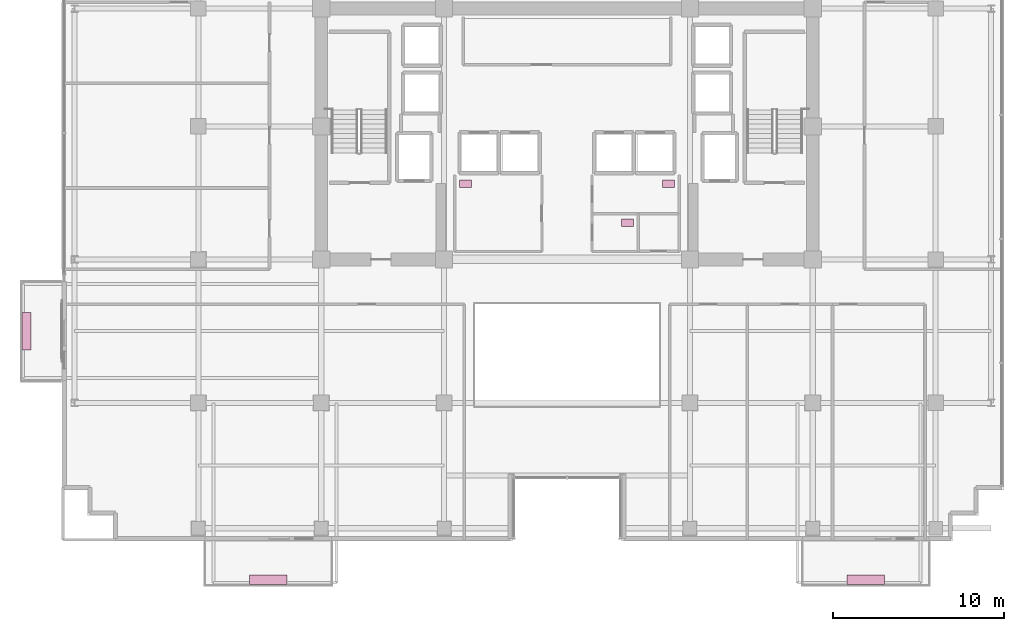
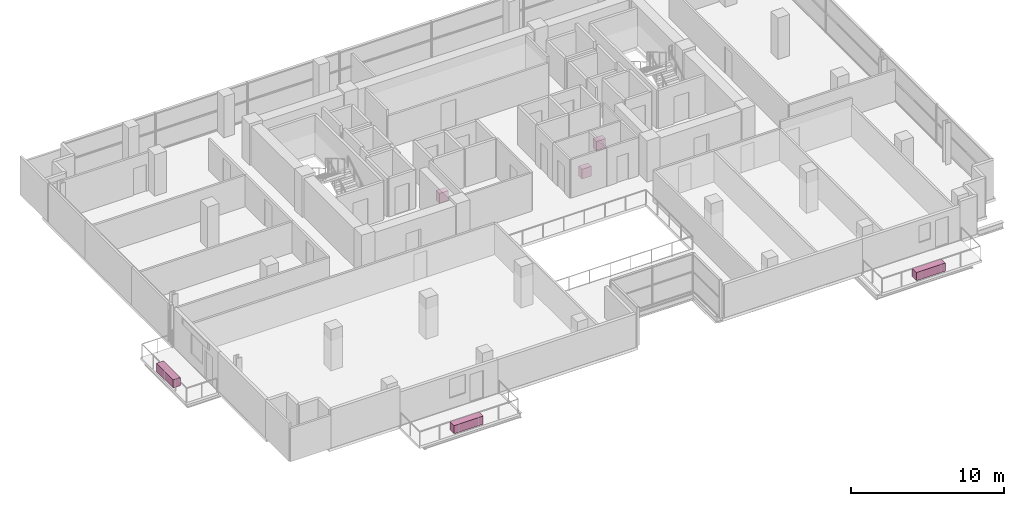
# One storey, part 28 of 28: 6 furnishings.
"""IFC4 building model written with IfcOpenShell, lengths in metres."""

import ifcopenshell
import ifcopenshell.guid

model = None  # the IFC model being written
_history = None  # IfcOwnerHistory: only IFC2X3 demands one
_inside = {}  # id of a spatial element -> (the spatial element, [elements in it])
_under = {}  # id of a project, library or spatial element -> (it, [spatial elements below it])
_declared = {}  # id of a project -> (the project, [libraries it declares])
_typed = {}  # id of a type object -> (the type object, [elements of that type])
_made_of = {}  # id of a material, layer set ... -> (it, [elements and type objects made of it])


def new_model(schema):
    """Start an empty IFC model of exactly this schema.

    Asked for "IFC4X3", IfcOpenShell would pick the latest addendum, in which some entities
    have other attributes; the version numbers below select the first issue.
    IFC2X3 requires an IfcOwnerHistory on every rooted entity: one is made here for all.
    """
    global model, _history
    if schema == "IFC4X3":
        model = ifcopenshell.file(schema_version=(4, 3, 0, 0))
    else:
        model = ifcopenshell.file(schema=schema)
    _inside.clear()
    _under.clear()
    _declared.clear()
    _typed.clear()
    _made_of.clear()
    _history = None
    if model.schema == "IFC2X3":
        org = make("IfcOrganization", Name="unknown")
        user = make(
            "IfcPersonAndOrganization",
            ThePerson=make("IfcPerson", FamilyName="unknown"),
            TheOrganization=org,
        )
        app = make(
            "IfcApplication",
            ApplicationDeveloper=org,
            Version="unknown",
            ApplicationFullName="unknown",
            ApplicationIdentifier="unknown",
        )
        _history = make(
            "IfcOwnerHistory",
            OwningUser=user,
            OwningApplication=app,
            ChangeAction="ADDED",
            CreationDate=0,
        )
    return model


def make(cls, **values):
    """One entity of the class cls with the attributes given. An attribute that is None is left unset."""
    return model.create_entity(
        cls, **{name: value for name, value in values.items() if value is not None}
    )


def rooted(cls, **values):
    """An entity with a GlobalId (a new one), such as an element, a storey or a relation."""
    return make(cls, GlobalId=ifcopenshell.guid.new(), OwnerHistory=_history, **values)


def si_unit(unit_type, name, prefix=None):
    """IfcSIUnit, for example si_unit("LENGTHUNIT", "METRE", prefix="MILLI")."""
    return make("IfcSIUnit", UnitType=unit_type, Prefix=prefix, Name=name)


def assignment(units):
    """IfcUnitAssignment: the units of a project."""
    return None if units is None else make("IfcUnitAssignment", Units=units)


def point(xyz):
    """IfcCartesianPoint."""
    return None if xyz is None else make("IfcCartesianPoint", Coordinates=xyz)


def direction(xyz):
    """IfcDirection."""
    return None if xyz is None else make("IfcDirection", DirectionRatios=xyz)


def frame(location, z_axis=None, x_axis=None):
    """IfcAxis2Placement3D, a coordinate frame: its origin and axes. An axis left out is left unset."""
    return make(
        "IfcAxis2Placement3D",
        Location=point(location),
        Axis=direction(z_axis),
        RefDirection=direction(x_axis),
    )


def frame_2d(location, x_axis=None):
    """IfcAxis2Placement2D, a coordinate frame in the plane: its origin and x axis."""
    return make(
        "IfcAxis2Placement2D", Location=point(location), RefDirection=direction(x_axis)
    )


def origin():
    """The frame at (0, 0, 0) with its axes left unset."""
    return frame((0.0, 0.0, 0.0))


def origin_2d():
    """The frame at (0, 0) in the plane with its x axis left unset."""
    return frame_2d((0.0, 0.0))


def place(relative_to, where):
    """IfcLocalPlacement: puts the frame where relative to a parent placement (None: the world)."""
    return make(
        "IfcLocalPlacement", PlacementRelTo=relative_to, RelativePlacement=where
    )


def context(
    kind, dimensions, precision=None, world=None, true_north=None, identifier=None
):
    """IfcGeometricRepresentationContext, for example the 3D "Model" context."""
    return make(
        "IfcGeometricRepresentationContext",
        ContextIdentifier=identifier,
        ContextType=kind,
        CoordinateSpaceDimension=dimensions,
        Precision=precision,
        WorldCoordinateSystem=world,
        TrueNorth=true_north,
    )


def subcontext(parent, identifier, kind, view, scale=None):
    """IfcGeometricRepresentationSubContext, for example "Body" below "Model"."""
    return make(
        "IfcGeometricRepresentationSubContext",
        ContextIdentifier=identifier,
        ContextType=kind,
        ParentContext=parent,
        TargetScale=scale,
        TargetView=view,
    )


def project(units=None, contexts=None):
    """IfcProject with its units and contexts."""
    return rooted(
        "IfcProject",
        Name="project",
        RepresentationContexts=contexts,
        UnitsInContext=assignment(units),
    )


def spatial(cls, under=None, at=None, **own):
    """A site, building, storey or space (cls), placed at a placement, below another one or the project."""
    s = rooted(cls, ObjectPlacement=at, **own)
    if under is not None:
        _under.setdefault(under.id(), (under, []))[1].append(s)
    return s


def profile(cls, at=None, kind="AREA", **sizes):
    """A parametric profile (cls). Its sizes go by their IFC names, for example OverallWidth=200.0."""
    return make(cls, ProfileType=kind, Position=at, **sizes)


def rectangle(**sizes):
    """IfcRectangleProfileDef."""
    return profile("IfcRectangleProfileDef", **sizes)


def extrude(swept, where, along, depth):
    """IfcExtrudedAreaSolid: the profile swept, set in the frame where, extruded along a direction by depth."""
    return make(
        "IfcExtrudedAreaSolid",
        SweptArea=swept,
        Position=where,
        ExtrudedDirection=direction(along),
        Depth=depth,
    )


def shape(context_of_items, identifier, shape_type, items):
    """IfcShapeRepresentation: the items that make up one representation, for example the "Body"."""
    return make(
        "IfcShapeRepresentation",
        ContextOfItems=context_of_items,
        RepresentationIdentifier=identifier,
        RepresentationType=shape_type,
        Items=items,
    )


def source(mapping_origin, context_of_items, identifier, shape_type, items):
    """IfcRepresentationMap: a shape defined once, which mapped items show again and again."""
    return make(
        "IfcRepresentationMap",
        MappingOrigin=mapping_origin,
        MappedRepresentation=shape(context_of_items, identifier, shape_type, items),
    )


def transform(
    local_origin,
    x_axis=None,
    y_axis=None,
    z_axis=None,
    scale=None,
    scale2=None,
    scale3=None,
    uniform=True,
):
    """IfcCartesianTransformationOperator3D, or its non-uniform kind. x_axis, y_axis, z_axis: its Axis1, 2, 3."""
    if uniform:
        return make(
            "IfcCartesianTransformationOperator3D",
            Axis1=direction(x_axis),
            Axis2=direction(y_axis),
            LocalOrigin=point(local_origin),
            Scale=scale,
            Axis3=direction(z_axis),
        )
    return make(
        "IfcCartesianTransformationOperator3DnonUniform",
        Axis1=direction(x_axis),
        Axis2=direction(y_axis),
        LocalOrigin=point(local_origin),
        Scale=scale,
        Axis3=direction(z_axis),
        Scale2=scale2,
        Scale3=scale3,
    )


def mapped(mapping_source, mapping_target):
    """IfcMappedItem: shows the shape of a source again, moved by a transform."""
    return make(
        "IfcMappedItem", MappingSource=mapping_source, MappingTarget=mapping_target
    )


def material(Name=None, Category=None):
    """IfcMaterial."""
    return make("IfcMaterial", Name=Name, Category=Category)


def made_of(thing, what):
    """Note that an element or type object is made of a material, layer set ...; save() writes the relation."""
    if what is not None:
        _made_of.setdefault(what.id(), (what, []))[1].append(thing)
    return thing


def type_object(cls, material=None, **own):
    """A type object (cls), such as IfcWallType, which elements share."""
    return made_of(rooted(cls, **own), material)


def element(
    cls,
    number,
    at=None,
    inside=None,
    cuts=None,
    type_object=None,
    material=None,
    context=None,
    identifier="Body",
    shape_type=None,
    held_by="IfcProductDefinitionShape",
    body=None,
    shapes=None,
    **own,
):
    """One element of the class cls, such as IfcWall. Its Tag is "e" and its number.

    at: its placement. inside: the storey or other place that contains it. cuts: it is an
    opening in that element (IfcRelVoidsElement). A single representation is given by context,
    identifier, shape_type and body (its items); several are given by shapes. held_by: the class
    of the entity that holds the representations. save() writes the other relations.
    """
    e = rooted(cls, Tag="e%d" % number, ObjectPlacement=at, **own)
    if body is not None:
        shapes = [shape(context, identifier, shape_type, body)]
    if shapes is not None:
        e.Representation = make(held_by, Representations=shapes)
    if inside is not None:
        _inside.setdefault(inside.id(), (inside, []))[1].append(e)
    if cuts is not None:
        rooted(
            "IfcRelVoidsElement", RelatingBuildingElement=cuts, RelatedOpeningElement=e
        )
    if type_object is not None:
        _typed.setdefault(type_object.id(), (type_object, []))[1].append(e)
    return made_of(e, material)


def aggregate(whole, parts):
    """IfcRelAggregates: a whole, such as a stair, and the parts it consists of."""
    return rooted("IfcRelAggregates", RelatingObject=whole, RelatedObjects=parts)


def save(model, path):
    """Write the relations noted so far, then the file.

    IfcRelAggregates (storeys below a building ...), IfcRelContainedInSpatialStructure (elements
    in a storey), IfcRelDefinesByType, IfcRelAssociatesMaterial and IfcRelDeclares: one each for
    every whole, place, type object, material and project.
    """
    for whole, parts in _under.values():
        aggregate(whole, parts)
    for where, things in _inside.values():
        rooted(
            "IfcRelContainedInSpatialStructure",
            RelatedElements=things,
            RelatingStructure=where,
        )
    for kind, things in _typed.values():
        rooted("IfcRelDefinesByType", RelatedObjects=things, RelatingType=kind)
    for what, things in _made_of.values():
        rooted("IfcRelAssociatesMaterial", RelatedObjects=things, RelatingMaterial=what)
    for by, libraries in _declared.values():
        rooted("IfcRelDeclares", RelatingContext=by, RelatedDefinitions=libraries)
    model.write(path)


model = new_model("IFC4")

# Units and contexts
model_context = context("Model", 3, precision=1e-05, world=origin(), true_north=direction((0.0, 1.0)))
body_context = subcontext(model_context, "Body", "Model", "MODEL_VIEW")
ifc_project = project(units=[si_unit("LENGTHUNIT", "METRE"), si_unit("AREAUNIT", "SQUARE_METRE"), si_unit("VOLUMEUNIT", "CUBIC_METRE"), si_unit("PLANEANGLEUNIT", "RADIAN"), si_unit("MASSUNIT", "GRAM", prefix="KILO")], contexts=[model_context])

# Site, building, storey
site_placement = place(None, origin())
site = spatial("IfcSite", under=ifc_project, at=site_placement, CompositionType="ELEMENT")
building_placement = place(site_placement, origin())
building = spatial("IfcBuilding", under=site, at=building_placement, Name="Zarnakvel Exchange Tower", CompositionType="ELEMENT")
storey_placement = place(building_placement, frame((0.0, 0.0, 109.89990234375)))
storey = spatial("IfcBuildingStorey", under=building, at=storey_placement, Name="L30", CompositionType="ELEMENT", Elevation=109.89990234375)

# Furnishings
ifc_material_1 = material(Name="Architectural Bronze Anodised Aluminium", Category="aluminium")
furnishing_element_type_1 = type_object("IfcFurnishingElementType", Name="PLNT-01", material=ifc_material_1)
shared_shape_1 = source(origin(), body_context, "Body", "SweptSolid", [
    extrude(rectangle(XDim=2.199951171875, YDim=0.550048828125, at=origin_2d()), origin(), (0.0, 0.0, 1.0), 0.64990234375),
])
for number, where, z_axis, x_axis, name in (
    (1, (-17.5, -19.969970703125, -0.034912109375), (0.0, 0.0, 1.0), (1.0, 0.0, 0.0), "L30 Balcony Greenery Planter BAL-L30-SW"),
    (2, (17.5, -19.969970703125, -0.034912109375), (0.0, 0.0, 1.0), (1.0, 0.0, 0.0), "L30 Balcony Greenery Planter BAL-L30-SE"),
    (3, (-31.669921875, -5.39990234375, -0.034912109375), (0.0, 0.0, 1.0), (0.0, 1.0, 0.0), "L30 Balcony Greenery Planter BAL-L30-W"),
):
    element("IfcFurnishingElement", number, at=place(storey_placement, frame(where, z_axis=z_axis, x_axis=x_axis)), inside=storey, type_object=furnishing_element_type_1, Name=name, ObjectType="PLANTER", context=body_context, shape_type="MappedRepresentation", body=[
        mapped(shared_shape_1, transform((0.0, 0.0, 0.0), x_axis=(1.0, 0.0, 0.0), y_axis=(0.0, 1.0, 0.0), z_axis=(0.0, 0.0, 1.0), scale=1.0)),
    ])
ifc_material_2 = material(Name="Vitreous China Sanitaryware", Category="ceramic")
furnishing_element_type_2 = type_object("IfcFurnishingElementType", Name="SAN-WC", material=ifc_material_2)
shared_shape_2 = source(origin(), body_context, "Body", "SweptSolid", [
    extrude(rectangle(XDim=0.699951171875, YDim=0.449951171875, at=origin_2d()), origin(), (0.0, 0.0, 1.0), 0.780029296875),
])
for number, where, z_axis, x_axis, name in (
    (4, (-5.949951171875, 3.22998046875, 0.0), (0.0, 0.0, 1.0), (1.0, 0.0, 0.0), "L30 Sanitary Fixture (Male Toilet)"),
    (5, (5.949951171875, 3.22998046875, 0.0), (0.0, 0.0, 1.0), (1.0, 0.0, 0.0), "L30 Sanitary Fixture (Female Toilet)"),
    (6, (3.550048828125, 0.949951171875, 0.0), (0.0, 0.0, 1.0), (1.0, 0.0, 0.0), "L30 Sanitary Fixture (Accessible Toilet)"),
):
    element("IfcFurnishingElement", number, at=place(storey_placement, frame(where, z_axis=z_axis, x_axis=x_axis)), inside=storey, type_object=furnishing_element_type_2, Name=name, ObjectType="SANITARY_FIXTURE", context=body_context, shape_type="MappedRepresentation", body=[
        mapped(shared_shape_2, transform((0.0, 0.0, 0.0), x_axis=(1.0, 0.0, 0.0), y_axis=(0.0, 1.0, 0.0), z_axis=(0.0, 0.0, 1.0), scale=1.0)),
    ])

save(model, "model.ifc")
